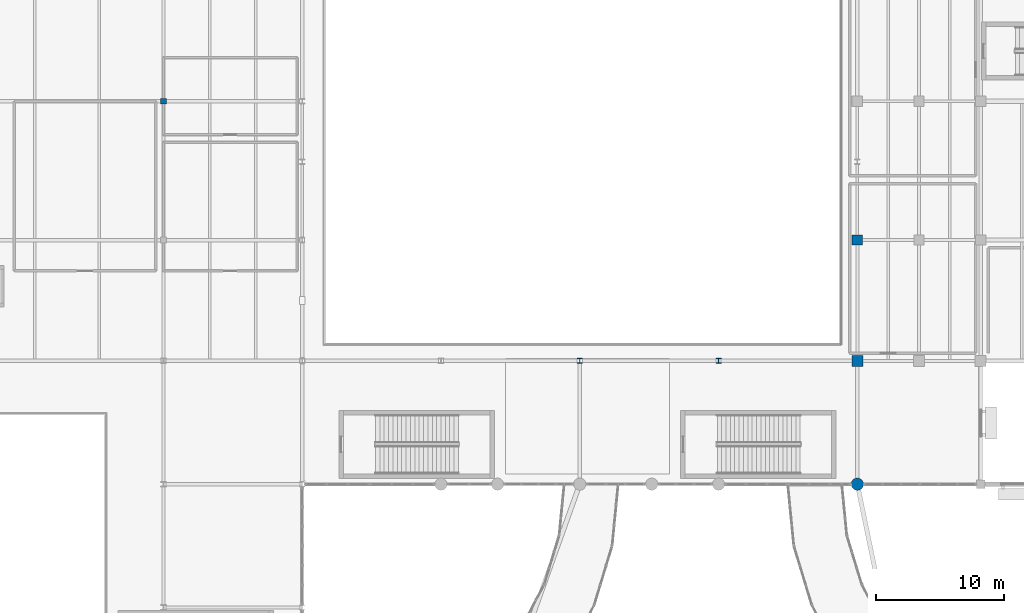
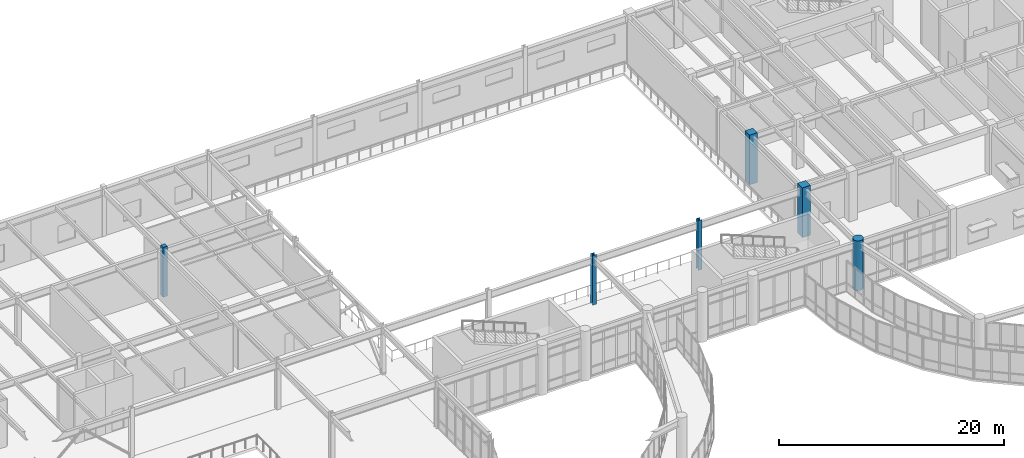
# One storey, part 7 of 72: 6 columns.
"""IFC4 building model written with IfcOpenShell, lengths in metres."""

from ifc_helpers import new_model, si_unit, direction, frame, origin, origin_2d, place, context, subcontext, project, spatial, rectangle, circle, i_section, extrude, material, material_profile, profile_set, type_object, element, save


model = new_model("IFC4")

# Units and contexts
model_context = context("Model", 3, precision=1e-05, world=origin(), true_north=direction((0.0, 1.0)))
body_context = subcontext(model_context, "Body", "Model", "MODEL_VIEW")
ifc_project = project(units=[si_unit("LENGTHUNIT", "METRE"), si_unit("AREAUNIT", "SQUARE_METRE"), si_unit("VOLUMEUNIT", "CUBIC_METRE"), si_unit("PLANEANGLEUNIT", "RADIAN"), si_unit("MASSUNIT", "GRAM", prefix="KILO")], contexts=[model_context])

# Site, building, storey
site_placement = place(None, origin())
site = spatial("IfcSite", under=ifc_project, at=site_placement, CompositionType="ELEMENT")
building_placement = place(site_placement, origin())
building = spatial("IfcBuilding", under=site, at=building_placement, Name="Veldera Park Congress Hotel", CompositionType="ELEMENT")
storey_placement = place(building_placement, frame((0.0, 0.0, 5.39990234375)))
storey = spatial("IfcBuildingStorey", under=building, at=storey_placement, Name="L01", CompositionType="ELEMENT", Elevation=5.39990234375)

# Columns
ifc_material_1 = material(Name="Glulam GL28h (NDS 24F-V4)", Category="wood")
ifc_material_profile_1 = material_profile(ifc_material_1, rectangle(XDim=0.449951171875, YDim=0.449951171875, at=origin_2d()), Name="GL28h 450x450")
ifc_profile_set_1 = profile_set([ifc_material_profile_1], Name="Glulam GL28h (NDS 24F-V4)")
column_type_1 = type_object("IfcColumnType", Name="COL-GL45E", PredefinedType="COLUMN", material=ifc_profile_set_1)
column_1_placement = place(storey_placement, frame((-12.39990234375, 47.199951171875, 0.0), z_axis=(0.0, 0.0, 1.0), x_axis=(1.0, 0.0, 0.0)))
element("IfcColumn", 1, at=column_1_placement, inside=storey, type_object=column_type_1, Name="L01 Column COL-GL45E (-12.4,47.2)", PredefinedType="COLUMN", context=body_context, shape_type="SweptSolid", body=[
    extrude(rectangle(XDim=0.449951171875, YDim=0.449951171875, at=origin_2d()), origin(), (0.0, 0.0, 1.0), 5.400146484375),
])
ifc_material_2 = material(Name="Concrete f'c 50 MPa (7,250 psi)", Category="concrete")
ifc_material_profile_2 = material_profile(ifc_material_2, rectangle(XDim=0.800048828125, YDim=0.800048828125, at=origin_2d()), Name="RC 800x800")
ifc_profile_set_2 = profile_set([ifc_material_profile_2], Name="Concrete f'c 50 MPa (7,250 psi)")
column_type_2 = type_object("IfcColumnType", Name="COL-RC80", PredefinedType="COLUMN", material=ifc_profile_set_2)
column_2_placement = place(storey_placement, frame((41.60009765625, 36.39990234375, 0.0), z_axis=(0.0, 0.0, 1.0), x_axis=(1.0, 0.0, 0.0)))
element("IfcColumn", 2, at=column_2_placement, inside=storey, type_object=column_type_2, Name="L01 Column COL-RC80 (41.6,36.4)", PredefinedType="COLUMN", context=body_context, shape_type="SweptSolid", body=[
    extrude(rectangle(XDim=0.800048828125, YDim=0.800048828125, at=origin_2d()), origin(), (0.0, 0.0, 1.0), 5.400146484375),
])
ifc_material_profile_3 = material_profile(ifc_material_2, rectangle(XDim=0.85009765625, YDim=0.85009765625, at=origin_2d()), Name="RC 850x850")
ifc_profile_set_3 = profile_set([ifc_material_profile_3], Name="Concrete f'c 50 MPa (7,250 psi)")
column_type_3 = type_object("IfcColumnType", Name="COL-RC80E", PredefinedType="COLUMN", material=ifc_profile_set_3)
column_3_placement = place(storey_placement, frame((41.60009765625, 27.0, 0.0), z_axis=(0.0, 0.0, 1.0), x_axis=(1.0, 0.0, 0.0)))
element("IfcColumn", 3, at=column_3_placement, inside=storey, type_object=column_type_3, Name="L01 Column COL-RC80E (41.6,27.0)", PredefinedType="COLUMN", context=body_context, shape_type="SweptSolid", body=[
    extrude(rectangle(XDim=0.85009765625, YDim=0.85009765625, at=origin_2d()), origin(), (0.0, 0.0, 1.0), 5.400146484375),
])
ifc_material_profile_4 = material_profile(ifc_material_2, circle(Radius=0.47509765625, at=origin_2d()), Name="RC D950")
ifc_profile_set_4 = profile_set([ifc_material_profile_4], Name="Concrete f'c 50 MPa (7,250 psi)")
column_type_4 = type_object("IfcColumnType", Name="COL-RCD90E", PredefinedType="COLUMN", material=ifc_profile_set_4)
column_4_placement = place(storey_placement, frame((41.60009765625, 17.39990234375, 0.0), z_axis=(0.0, 0.0, 1.0), x_axis=(1.0, 0.0, 0.0)))
element("IfcColumn", 4, at=column_4_placement, inside=storey, type_object=column_type_4, Name="L01 Column COL-RCD90E (41.6,17.4)", PredefinedType="COLUMN", context=body_context, shape_type="SweptSolid", body=[
    extrude(circle(Radius=0.47509765625, at=origin_2d()), origin(), (0.0, 0.0, 1.0), 5.400146484375),
])
ifc_material_3 = material(Name="Steel ASTM A992 Gr.50", Category="steel")
ifc_material_profile_5 = material_profile(ifc_material_3, i_section(OverallWidth=0.39697265625, OverallDepth=0.386962890625, WebThickness=0.02099609375, FlangeThickness=0.033203125, at=origin_2d()), Name="W14X176")
ifc_profile_set_5 = profile_set([ifc_material_profile_5], Name="Steel ASTM A992 Gr.50")
column_type_5 = type_object("IfcColumnType", Name="COL-STL176", PredefinedType="COLUMN", material=ifc_profile_set_5)
for number, where, z_axis, x_axis, name in (
    (5, (20.0, 27.0, 0.0), (0.0, 0.0, 1.0), (1.0, 0.0, 0.0), "L01 Column COL-STL176 (20.0,27.0)"),
    (6, (30.800048828125, 27.0, 0.0), (0.0, 0.0, 1.0), (1.0, 0.0, 0.0), "L01 Column COL-STL176 (30.8,27.0)"),
):
    element("IfcColumn", number, at=place(storey_placement, frame(where, z_axis=z_axis, x_axis=x_axis)), inside=storey, type_object=column_type_5, Name=name, PredefinedType="COLUMN", context=body_context, shape_type="SweptSolid", body=[
        extrude(i_section(OverallWidth=0.39697265625, OverallDepth=0.386962890625, WebThickness=0.02099609375, FlangeThickness=0.033203125, at=origin_2d()), origin(), (0.0, 0.0, 1.0), 5.400146484375),
    ])

save(model, "model.ifc")
